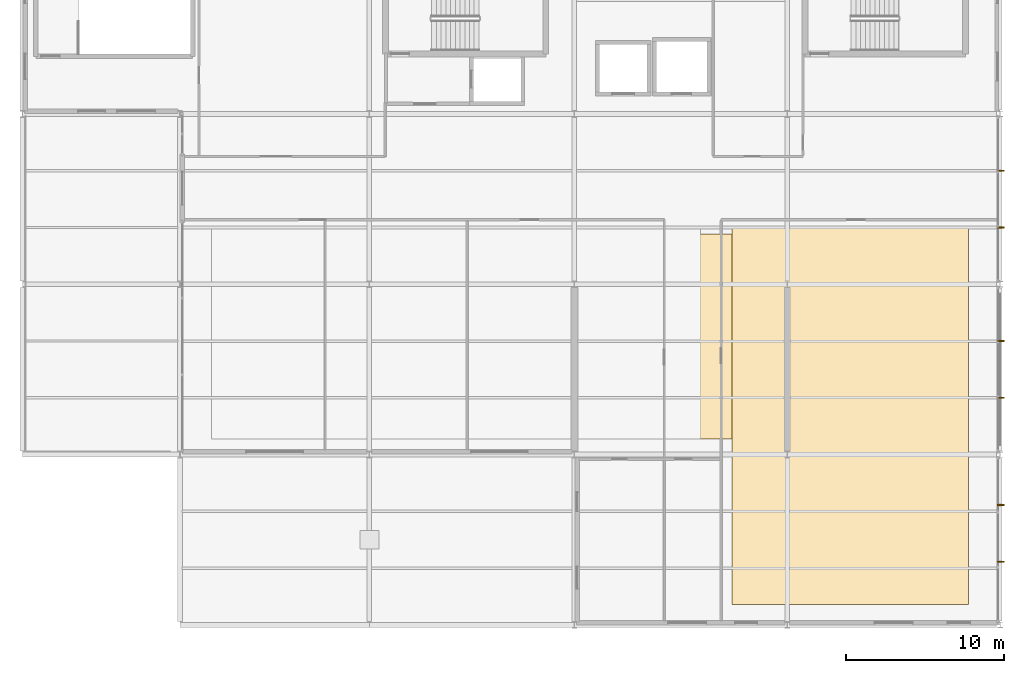
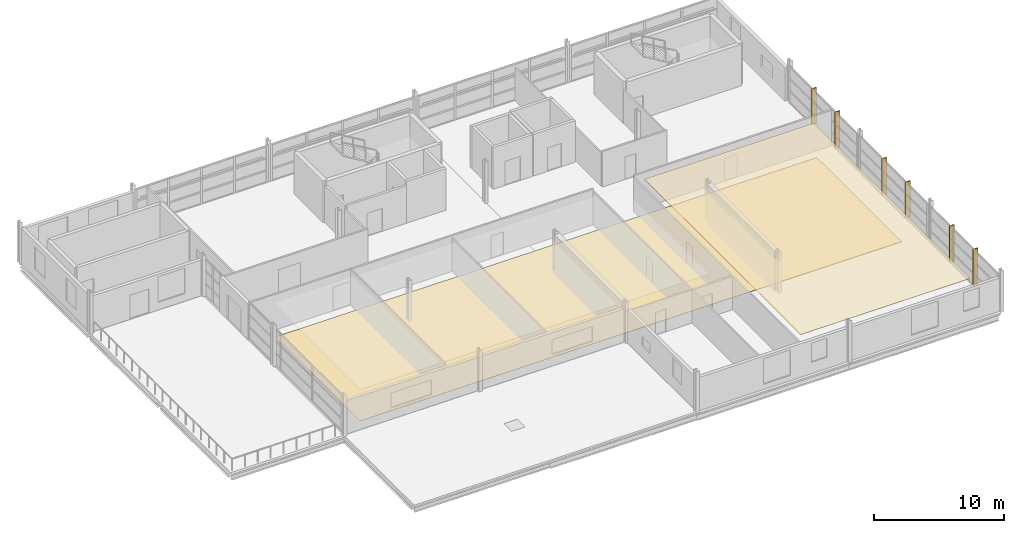
# One storey, part 31 of 33: 6 shading devices, 2 coverings.
"""IFC4 building model written with IfcOpenShell, lengths in metres."""

from ifc_helpers import new_model, si_unit, direction, frame, origin, origin_2d, place, context, subcontext, project, spatial, polyline, rectangle, outline, extrude, material, layer, layer_set, type_object, element, save


model = new_model("IFC4")

# Units and contexts
model_context = context("Model", 3, precision=1e-05, world=origin(), true_north=direction((0.0, 1.0)))
body_context = subcontext(model_context, "Body", "Model", "MODEL_VIEW")
ifc_project = project(units=[si_unit("LENGTHUNIT", "METRE"), si_unit("AREAUNIT", "SQUARE_METRE"), si_unit("VOLUMEUNIT", "CUBIC_METRE"), si_unit("PLANEANGLEUNIT", "RADIAN"), si_unit("MASSUNIT", "GRAM", prefix="KILO")], contexts=[model_context])

# Site, building, storey
site_placement = place(None, origin())
site = spatial("IfcSite", under=ifc_project, at=site_placement, CompositionType="ELEMENT")
building_placement = place(site_placement, origin())
building = spatial("IfcBuilding", under=site, at=building_placement, Name="Tamarisk Ironworks Central Station", CompositionType="ELEMENT")
storey_placement = place(building_placement, frame((0.0, 0.0, 21.300048828125)))
storey = spatial("IfcBuildingStorey", under=building, at=storey_placement, Name="L04", CompositionType="ELEMENT", Elevation=21.300048828125)

# Coverings
ifc_material_1 = material(Name="Gypsum plasterboard acoustic partition")
ifc_layer_1 = layer(ifc_material_1, 0.0400390625)
ifc_layer_set_1 = layer_set([ifc_layer_1], Name="Gypsum plasterboard acoustic partition")
covering_type_1 = type_object("IfcCoveringType", Name="COV-CEIL-AC", PredefinedType="CEILING", material=ifc_layer_set_1)
covering_1_placement = place(storey_placement, frame((0.0, 0.0, 2.89990234375)))
element("IfcCovering", 1, at=covering_1_placement, inside=storey, type_object=covering_type_1, Name="L04 suspended acoustic baffle ceiling 011", PredefinedType="CEILING", context=body_context, shape_type="SweptSolid", body=[
    extrude(outline(polyline([(163.0, 80.5), (178.0, 80.5), (178.0, 104.5), (163.0, 104.5), (163.0, 80.5)])), origin(), (0.0, 0.0, 1.0), 0.0400390625),
])
ifc_material_2 = material(Name="Granite tactile platform paving", Category="masonry")
ifc_layer_2 = layer(ifc_material_2, 0.02001953125)
ifc_layer_set_2 = layer_set([ifc_layer_2], Name="Granite tactile platform paving")
covering_type_2 = type_object("IfcCoveringType", Name="COV-FLOOR-TC", PredefinedType="FLOORING", material=ifc_layer_set_2)
covering_2_placement = place(storey_placement, origin())
element("IfcCovering", 2, at=covering_2_placement, inside=storey, type_object=covering_type_2, Name="L04 granite/terrazzo floor finish 011", PredefinedType="FLOORING", context=body_context, shape_type="SweptSolid", body=[
    extrude(outline(polyline([(130.0, 91.0), (178.0, 91.0), (178.0, 104.0), (130.0, 104.0), (130.0, 91.0)])), origin(), (0.0, 0.0, 1.0), 0.02001953125),
])

# Shading devices
ifc_material_3 = material(Name="Anodized aluminium alloy 6063-T6", Category="aluminium")
shading_device_type = type_object("IfcShadingDeviceType", Name="SHD-FN01", PredefinedType="USERDEFINED", material=ifc_material_3)
for number, where, z_axis, x_axis, name in (
    (3, (180.02001953125, 83.199951171875, 0.0), (0.0, 0.0, 1.0), (1.0, 0.0, 0.0), "L04 east vertical solar brise-soleil fin 037"),
    (4, (180.02001953125, 86.800048828125, 0.0), (0.0, 0.0, 1.0), (1.0, 0.0, 0.0), "L04 east vertical solar brise-soleil fin 038"),
    (5, (180.02001953125, 93.60009765625, 0.0), (0.0, 0.0, 1.0), (1.0, 0.0, 0.0), "L04 east vertical solar brise-soleil fin 039"),
    (6, (180.02001953125, 97.199951171875, 0.0), (0.0, 0.0, 1.0), (1.0, 0.0, 0.0), "L04 east vertical solar brise-soleil fin 040"),
    (7, (180.02001953125, 104.39990234375, 0.0), (0.0, 0.0, 1.0), (1.0, 0.0, 0.0), "L04 east vertical solar brise-soleil fin 041"),
    (8, (180.02001953125, 108.0, 0.0), (0.0, 0.0, 1.0), (1.0, 0.0, 0.0), "L04 east vertical solar brise-soleil fin 042"),
):
    element("IfcShadingDevice", number, at=place(storey_placement, frame(where, z_axis=z_axis, x_axis=x_axis)), inside=storey, type_object=shading_device_type, Name=name, ObjectType="BRISE SOLEIL FIN", PredefinedType="USERDEFINED", context=body_context, shape_type="SweptSolid", body=[
        extrude(rectangle(XDim=0.43994140625, YDim=0.080078125, at=origin_2d()), origin(), (0.0, 0.0, 1.0), 3.39990234375),
    ])

save(model, "model.ifc")
